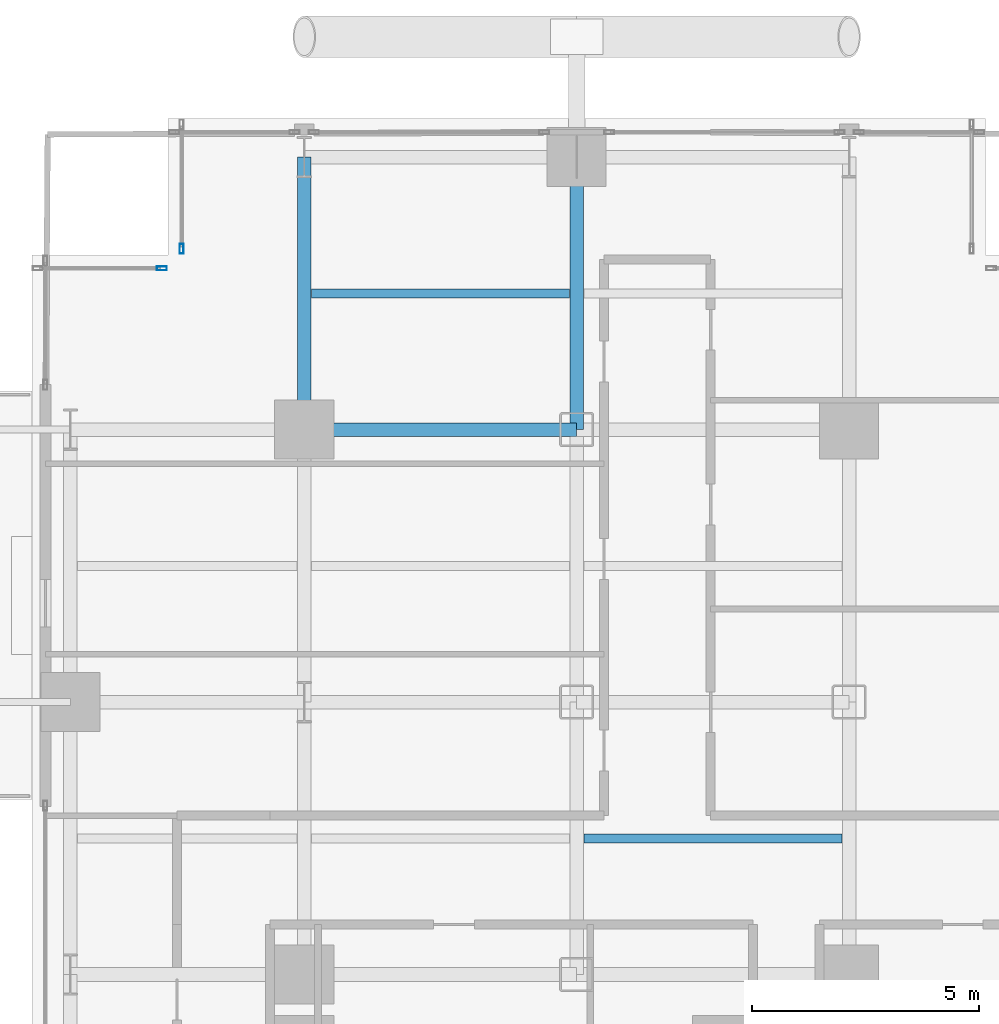
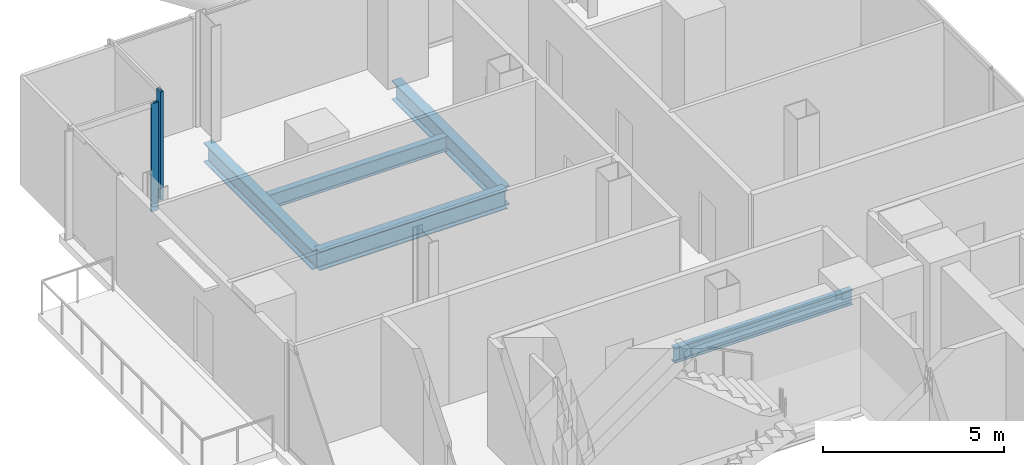
# One storey, part 14 of 27: 5 beams, 2 members, 2 elements without a shape of their own.
"""IFC4 building model written with IfcOpenShell, lengths in metres."""

from ifc_helpers import new_model, si_unit, direction, frame, origin, origin_2d, place, context, subcontext, project, spatial, hollow_rectangle, i_section, extrude, material, layer, layer_set, material_profile, profile_set, type_object, element, aggregate, save


model = new_model("IFC4")

# Units and contexts
model_context = context("Model", 3, precision=1e-05, world=origin(), true_north=direction((0.0, 1.0)))
body_context = subcontext(model_context, "Body", "Model", "MODEL_VIEW")
ifc_project = project(units=[si_unit("LENGTHUNIT", "METRE"), si_unit("AREAUNIT", "SQUARE_METRE"), si_unit("VOLUMEUNIT", "CUBIC_METRE"), si_unit("PLANEANGLEUNIT", "RADIAN"), si_unit("MASSUNIT", "GRAM", prefix="KILO"), si_unit("THERMODYNAMICTEMPERATUREUNIT", "KELVIN"), si_unit("POWERUNIT", "WATT")], contexts=[model_context])

# Site, building, storey
site_placement = place(None, origin())
site = spatial("IfcSite", under=ifc_project, at=site_placement, CompositionType="ELEMENT")
building_placement = place(site_placement, origin())
building = spatial("IfcBuilding", under=site, at=building_placement, Name="Svarakhadi Broadcast Tower", CompositionType="ELEMENT")
storey_placement = place(building_placement, frame((0.0, 0.0, 44.10009765625)))
storey = spatial("IfcBuildingStorey", under=building, at=storey_placement, Name="L09", CompositionType="ELEMENT", Elevation=44.10009765625)

# Beams
ifc_material_1 = material(Name="Steel S355J2 (IS 2062 E350C)", Category="steel")
ifc_material_profile_1 = material_profile(ifc_material_1, i_section(OverallWidth=0.199951171875, OverallDepth=0.5, WebThickness=0.01025390625, FlangeThickness=0.01611328125, FilletRadius=0.02099609375, at=origin_2d()), Name="NPB 500x200x91")
ifc_profile_set_1 = profile_set([ifc_material_profile_1], Name="Steel S355J2 (IS 2062 E350C)")
beam_type_1 = type_object("IfcBeamType", Name="Beam_NPB500", PredefinedType="BEAM", material=ifc_profile_set_1)
for number, where, z_axis, x_axis, name in (
    (1, (6.159912109375, 44.14990234375, -0.5), (1.0, 0.0, 0.0), (0.0, 1.0, 0.0), "L09 Secondary Composite Beam SB012"),
    (2, (12.159912109375, 32.14990234375, -0.5), (1.0, 0.0, 0.0), (0.0, 1.0, 0.0), "L09 Secondary Composite Beam SB016"),
):
    element("IfcBeam", number, at=place(storey_placement, frame(where, z_axis=z_axis, x_axis=x_axis)), inside=storey, type_object=beam_type_1, Name=name, PredefinedType="BEAM", context=body_context, shape_type="SweptSolid", body=[
        extrude(i_section(OverallWidth=0.199951171875, OverallDepth=0.5, WebThickness=0.01025390625, FlangeThickness=0.01611328125, FilletRadius=0.02099609375, at=origin_2d()), origin(), (0.0, 0.0, 1.0), 5.68017578125),
    ])

# Curtain wall, member
ifc_material_2 = material(Name="Anodised Bronze Aluminium AA 6063-T6", Category="aluminium")
ifc_layer = layer(ifc_material_2, 0.219970703125)
ifc_layer_set = layer_set([ifc_layer], Name="Anodised Bronze Aluminium AA 6063-T6")
curtain_wall_type = type_object("IfcCurtainWallType", Name="CW_Sys_02", PredefinedType="NOTDEFINED", material=ifc_layer_set)
curtain_wall_1_placement = place(storey_placement, origin())
curtain_wall_1 = element("IfcCurtainWall", 3, at=curtain_wall_1_placement, inside=storey, type_object=curtain_wall_type, Name="L09 Unitised Facade Curtain Wall 04", PredefinedType="NOTDEFINED")
ifc_material_profile_2 = material_profile(ifc_material_2, hollow_rectangle(XDim=0.0849609375, YDim=0.219970703125, WallThickness=0.006103515625, at=origin_2d()), Name="ALU MULLION 220x85x6")
ifc_profile_set_2 = profile_set([ifc_material_profile_2], Name="Anodised Bronze Aluminium AA 6063-T6")
member_type = type_object("IfcMemberType", Name="CW_Sys_02_Mul", PredefinedType="MULLION", material=ifc_profile_set_2)
member_1_placement = place(storey_placement, frame((2.867431640625, 44.699951171875, 0.0), z_axis=(0.0, 0.0, 1.0), x_axis=(0.0, 1.0, 0.0)))
member_1 = element("IfcMember", 4, at=member_1_placement, type_object=member_type, Name="CW-02 mullion 2", PredefinedType="MULLION", context=body_context, shape_type="SweptSolid", body=[
    extrude(hollow_rectangle(XDim=0.0849609375, YDim=0.219970703125, WallThickness=0.006103515625, at=origin_2d()), origin(), (0.0, 0.0, 1.0), 3.64990234375),
])
aggregate(curtain_wall_1, [member_1])

curtain_wall_2_placement = place(storey_placement, origin())
curtain_wall_2 = element("IfcCurtainWall", 5, at=curtain_wall_2_placement, inside=storey, type_object=curtain_wall_type, Name="L09 Unitised Facade Curtain Wall 05", PredefinedType="NOTDEFINED")
member_2_placement = place(storey_placement, frame((3.300048828125, 45.132568359375, 0.0), z_axis=(0.0, 0.0, 1.0), x_axis=(-1.0, 0.0, 0.0)))
member_2 = element("IfcMember", 6, at=member_2_placement, type_object=member_type, Name="CW-02 mullion 1", PredefinedType="MULLION", context=body_context, shape_type="SweptSolid", body=[
    extrude(hollow_rectangle(XDim=0.0849609375, YDim=0.219970703125, WallThickness=0.006103515625, at=origin_2d()), origin(), (0.0, 0.0, 1.0), 3.64990234375),
])
aggregate(curtain_wall_2, [member_2])

# Beams
ifc_material_profile_3 = material_profile(ifc_material_1, i_section(OverallWidth=0.300048828125, OverallDepth=0.64990234375, WebThickness=0.01611328125, FlangeThickness=0.031005859375, FilletRadius=0.027099609375, at=origin_2d()), Name="WPB 650x300x225")
ifc_profile_set_3 = profile_set([ifc_material_profile_3], Name="Steel S355J2 (IS 2062 E350C)")
beam_type_2 = type_object("IfcBeamType", Name="Girder_WPB650", PredefinedType="USERDEFINED", material=ifc_profile_set_3)
for number, where, z_axis, x_axis, name in (
    (7, (6.0, 41.14990234375, -0.5751953125), (1.0, 0.0, 0.0), (0.0, 1.0, 0.0), "L09 Primary E-W Girder G041"),
    (8, (6.0, 41.14990234375, -0.5751953125), (0.0, 1.0, 0.0), (-1.0, 0.0, 0.0), "L09 Primary N-S Girder G057"),
    (9, (12.0, 41.14990234375, -0.5751953125), (0.0, 1.0, 0.0), (-1.0, 0.0, 0.0), "L09 Primary N-S Girder G063"),
):
    element("IfcBeam", number, at=place(storey_placement, frame(where, z_axis=z_axis, x_axis=x_axis)), inside=storey, type_object=beam_type_2, Name=name, ObjectType="GIRDER", PredefinedType="USERDEFINED", context=body_context, shape_type="SweptSolid", body=[
        extrude(i_section(OverallWidth=0.300048828125, OverallDepth=0.64990234375, WebThickness=0.01611328125, FlangeThickness=0.031005859375, FilletRadius=0.027099609375, at=origin_2d()), origin(), (0.0, 0.0, 1.0), 6.0),
    ])

save(model, "model.ifc")
